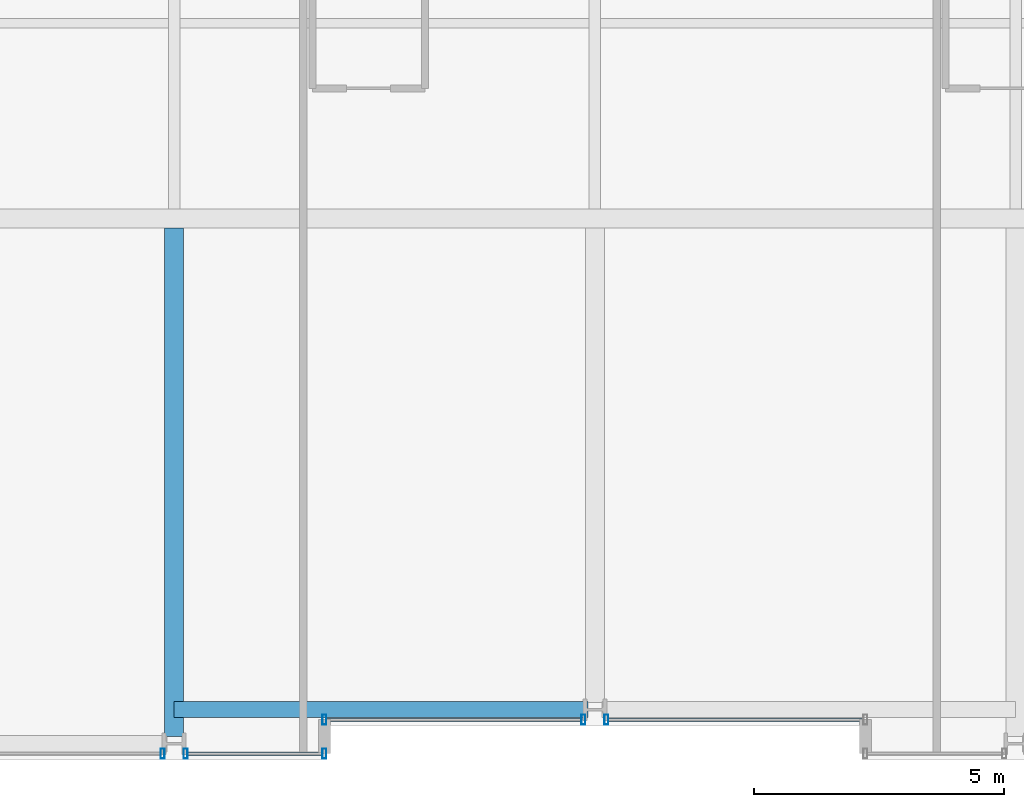
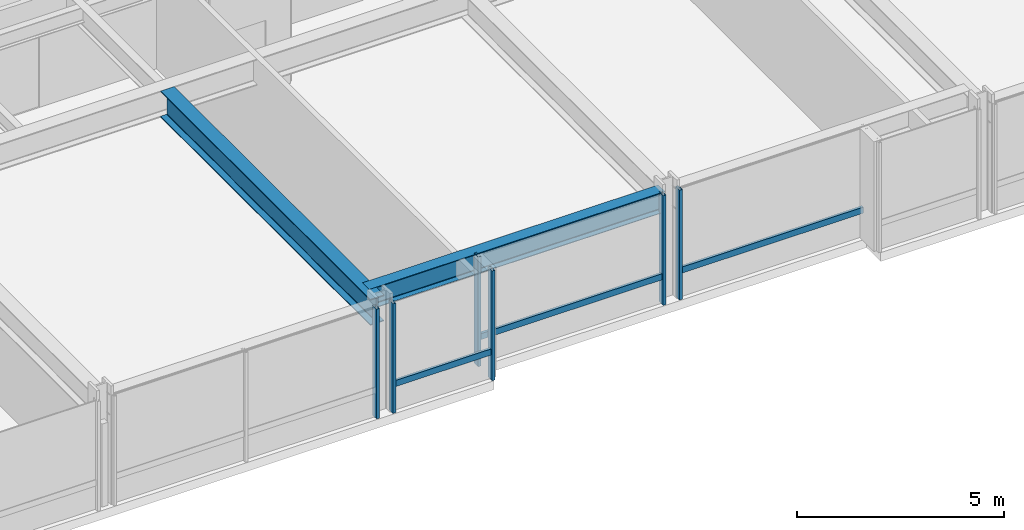
# One storey, part 5 of 38: 9 members, 2 beams, 4 elements without a shape of their own.
"""IFC4 building model written with IfcOpenShell, lengths in metres."""

from ifc_helpers import new_model, si_unit, direction, frame, origin, origin_2d, place, context, subcontext, project, spatial, hollow_rectangle, i_section, extrude, material, layer, layer_set, material_profile, profile_set, type_object, element, aggregate, save


model = new_model("IFC4")

# Units and contexts
model_context = context("Model", 3, precision=1e-05, world=origin(), true_north=direction((0.0, 1.0)))
body_context = subcontext(model_context, "Body", "Model", "MODEL_VIEW")
ifc_project = project(units=[si_unit("LENGTHUNIT", "METRE"), si_unit("AREAUNIT", "SQUARE_METRE"), si_unit("VOLUMEUNIT", "CUBIC_METRE"), si_unit("PLANEANGLEUNIT", "RADIAN"), si_unit("MASSUNIT", "GRAM", prefix="KILO")], contexts=[model_context])

# Site, building, storey
site_placement = place(None, origin())
site = spatial("IfcSite", under=ifc_project, at=site_placement, CompositionType="ELEMENT")
building_placement = place(site_placement, origin())
building = spatial("IfcBuilding", under=site, at=building_placement, Name="Drelvath Grand Hotel", CompositionType="ELEMENT")
storey_placement = place(building_placement, frame((0.0, 0.0, 68.199951171875)))
storey = spatial("IfcBuildingStorey", under=building, at=storey_placement, Name="L16", CompositionType="ELEMENT", Elevation=68.199951171875)

# Curtain wall, member
ifc_material_1 = material(Name="Warm Bronze Anodised Aluminium Frame", Category="aluminium")
ifc_layer = layer(ifc_material_1, 0.199951171875)
ifc_layer_set = layer_set([ifc_layer], Name="Warm Bronze Anodised Aluminium Frame")
curtain_wall_type = type_object("IfcCurtainWallType", Name="Stick Curtain Wall CW-02 Warm Bronze Low-Rise", PredefinedType="NOTDEFINED", material=ifc_layer_set)
curtain_wall_1_placement = place(storey_placement, origin())
curtain_wall_1 = element("IfcCurtainWall", 1, at=curtain_wall_1_placement, inside=storey, type_object=curtain_wall_type, Name="L16 CW-02 Curtain Wall CW02-L16-SM1", PredefinedType="NOTDEFINED")
ifc_material_profile_1 = material_profile(ifc_material_1, hollow_rectangle(XDim=0.074951171875, YDim=0.179931640625, WallThickness=0.0048828125, at=origin_2d()), Name="HSS180X75X5")
ifc_profile_set_1 = profile_set([ifc_material_profile_1], Name="Warm Bronze Anodised Aluminium Frame")
member_type_1 = type_object("IfcMemberType", Name="Curtain Wall Horizontal Transom CW-02 HSS180X75X5", PredefinedType="USERDEFINED", material=ifc_profile_set_1)
member_1_placement = place(storey_placement, frame((-0.26904296875, 0.800048828125, 0.81005859375), z_axis=(-1.0, 0.0, 0.0), x_axis=(0.0, -1.0, 0.0)))
member_1 = element("IfcMember", 2, at=member_1_placement, type_object=member_type_1, Name="CW02-L16-SM1 Sill Transom", ObjectType="TRANSOM", PredefinedType="USERDEFINED", context=body_context, shape_type="SweptSolid", body=[
    extrude(hollow_rectangle(XDim=0.074951171875, YDim=0.179931640625, WallThickness=0.0048828125, at=origin_2d()), origin(), (0.0, 0.0, 1.0), 5.091064453125),
])

curtain_wall_2_placement = place(storey_placement, origin())
curtain_wall_2 = element("IfcCurtainWall", 3, at=curtain_wall_2_placement, inside=storey, type_object=curtain_wall_type, Name="L16 CW-02 Curtain Wall CW02-L16-SM2", PredefinedType="NOTDEFINED")
member_2_placement = place(storey_placement, frame((5.360107421875, 0.800048828125, 0.81005859375), z_axis=(-1.0, 0.0, 0.0), x_axis=(0.0, -1.0, 0.0)))
member_2 = element("IfcMember", 4, at=member_2_placement, type_object=member_type_1, Name="CW02-L16-SM2 Sill Transom", ObjectType="TRANSOM", PredefinedType="USERDEFINED", context=body_context, shape_type="SweptSolid", body=[
    extrude(hollow_rectangle(XDim=0.074951171875, YDim=0.179931640625, WallThickness=0.0048828125, at=origin_2d()), origin(), (0.0, 0.0, 1.0), 5.091064453125),
])

curtain_wall_3_placement = place(storey_placement, origin())
curtain_wall_3 = element("IfcCurtainWall", 5, at=curtain_wall_3_placement, inside=storey, type_object=curtain_wall_type, Name="L16 CW-02 Curtain Wall CW02-L16-SW3", PredefinedType="NOTDEFINED")
member_3_placement = place(storey_placement, frame((-5.43994140625, 0.1201171875, 0.81005859375), z_axis=(-1.0, 0.0, 0.0), x_axis=(0.0, -1.0, 0.0)))
member_3 = element("IfcMember", 6, at=member_3_placement, type_object=member_type_1, Name="CW02-L16-SW3 Sill Transom", ObjectType="TRANSOM", PredefinedType="USERDEFINED", context=body_context, shape_type="SweptSolid", body=[
    extrude(hollow_rectangle(XDim=0.074951171875, YDim=0.179931640625, WallThickness=0.0048828125, at=origin_2d()), origin(), (0.0, 0.0, 1.0), 2.69091796875),
])

# Member
ifc_material_profile_2 = material_profile(ifc_material_1, hollow_rectangle(XDim=0.080078125, YDim=0.199951171875, WallThickness=0.0048828125, at=origin_2d()), Name="HSS200X80X5")
ifc_profile_set_2 = profile_set([ifc_material_profile_2], Name="Warm Bronze Anodised Aluminium Frame")
member_type_2 = type_object("IfcMemberType", Name="Curtain Wall Vertical Mullion CW-02 HSS200X80X5", PredefinedType="MULLION", material=ifc_profile_set_2)
member_4_placement = place(storey_placement, frame((-0.22900390625, 0.800048828125, 0.0), z_axis=(0.0, 0.0, 1.0), x_axis=(1.0, 0.0, 0.0)))
member_4 = element("IfcMember", 7, at=member_4_placement, type_object=member_type_2, Name="CW02-L16-SM1 Mullion 1", PredefinedType="MULLION", context=body_context, shape_type="SweptSolid", body=[
    extrude(hollow_rectangle(XDim=0.080078125, YDim=0.199951171875, WallThickness=0.0048828125, at=origin_2d()), origin(), (0.0, 0.0, 1.0), 3.239990234375),
])

member_5_placement = place(storey_placement, frame((-5.39990234375, 0.800048828125, 0.0), z_axis=(0.0, 0.0, 1.0), x_axis=(1.0, 0.0, 0.0)))
member_5 = element("IfcMember", 8, at=member_5_placement, type_object=member_type_2, Name="CW02-L16-SM1 Mullion 2", PredefinedType="MULLION", context=body_context, shape_type="SweptSolid", body=[
    extrude(hollow_rectangle(XDim=0.080078125, YDim=0.199951171875, WallThickness=0.0048828125, at=origin_2d()), origin(), (0.0, 0.0, 1.0), 3.239990234375),
])

aggregate(curtain_wall_1, [member_4, member_5, member_1])

member_6_placement = place(storey_placement, frame((0.22900390625, 0.800048828125, 0.0), z_axis=(0.0, 0.0, 1.0), x_axis=(1.0, 0.0, 0.0)))
member_6 = element("IfcMember", 9, at=member_6_placement, type_object=member_type_2, Name="CW02-L16-SM2 Mullion 2", PredefinedType="MULLION", context=body_context, shape_type="SweptSolid", body=[
    extrude(hollow_rectangle(XDim=0.080078125, YDim=0.199951171875, WallThickness=0.0048828125, at=origin_2d()), origin(), (0.0, 0.0, 1.0), 3.239990234375),
])

aggregate(curtain_wall_2, [member_6, member_2])

# Curtain wall, member
curtain_wall_4_placement = place(storey_placement, origin())
curtain_wall_4 = element("IfcCurtainWall", 10, at=curtain_wall_4_placement, inside=storey, type_object=curtain_wall_type, Name="L16 CW-02 Curtain Wall CW02-L16-SW2", PredefinedType="NOTDEFINED")
member_7_placement = place(storey_placement, frame((-8.629150390625, 0.1201171875, 0.0), z_axis=(0.0, 0.0, 1.0), x_axis=(1.0, 0.0, 0.0)))
member_7 = element("IfcMember", 11, at=member_7_placement, type_object=member_type_2, Name="CW02-L16-SW2 Mullion 1", PredefinedType="MULLION", context=body_context, shape_type="SweptSolid", body=[
    extrude(hollow_rectangle(XDim=0.080078125, YDim=0.199951171875, WallThickness=0.0048828125, at=origin_2d()), origin(), (0.0, 0.0, 1.0), 3.239990234375),
])
aggregate(curtain_wall_4, [member_7])

# Member
member_8_placement = place(storey_placement, frame((-5.39990234375, 0.1201171875, 0.0), z_axis=(0.0, 0.0, 1.0), x_axis=(1.0, 0.0, 0.0)))
member_8 = element("IfcMember", 12, at=member_8_placement, type_object=member_type_2, Name="CW02-L16-SW3 Mullion 1", PredefinedType="MULLION", context=body_context, shape_type="SweptSolid", body=[
    extrude(hollow_rectangle(XDim=0.080078125, YDim=0.199951171875, WallThickness=0.0048828125, at=origin_2d()), origin(), (0.0, 0.0, 1.0), 3.239990234375),
])

member_9_placement = place(storey_placement, frame((-8.1708984375, 0.1201171875, 0.0), z_axis=(0.0, 0.0, 1.0), x_axis=(1.0, 0.0, 0.0)))
member_9 = element("IfcMember", 13, at=member_9_placement, type_object=member_type_2, Name="CW02-L16-SW3 Mullion 2", PredefinedType="MULLION", context=body_context, shape_type="SweptSolid", body=[
    extrude(hollow_rectangle(XDim=0.080078125, YDim=0.199951171875, WallThickness=0.0048828125, at=origin_2d()), origin(), (0.0, 0.0, 1.0), 3.239990234375),
])

aggregate(curtain_wall_3, [member_8, member_9, member_3])

# Beams
ifc_material_2 = material(Name="Steel ASTM A992 Gr 50", Category="steel")
ifc_material_profile_3 = material_profile(ifc_material_2, i_section(OverallWidth=0.323974609375, OverallDepth=0.611083984375, WebThickness=0.0126953125, FlangeThickness=0.01904296875, FilletRadius=0.02197265625, at=origin_2d()), Name="W24X104")
ifc_profile_set_3 = profile_set([ifc_material_profile_3], Name="Steel ASTM A992 Gr 50")
beam_type_1 = type_object("IfcBeamType", Name="Perimeter Spandrel Beam W24X104", PredefinedType="SPANDREL", material=ifc_profile_set_3)
beam_1_placement = place(storey_placement, frame((-8.39990234375, 1.0, 2.9345703125), z_axis=(1.0, 0.0, 0.0), x_axis=(0.0, 1.0, 0.0)))
element("IfcBeam", 14, at=beam_1_placement, inside=storey, type_object=beam_type_1, Name="L16 Spandrel South Mid W", PredefinedType="SPANDREL", context=body_context, shape_type="SweptSolid", body=[
    extrude(i_section(OverallWidth=0.323974609375, OverallDepth=0.611083984375, WebThickness=0.0126953125, FlangeThickness=0.01904296875, FilletRadius=0.02197265625, at=origin_2d()), origin(), (0.0, 0.0, 1.0), 8.260009765625),
])
ifc_material_profile_4 = material_profile(ifc_material_2, i_section(OverallWidth=0.380615234375, OverallDepth=0.773193359375, WebThickness=0.0166015625, FlangeThickness=0.027099609375, FilletRadius=0.02490234375, at=origin_2d()), Name="W30X173")
ifc_profile_set_4 = profile_set([ifc_material_profile_4], Name="Steel ASTM A992 Gr 50")
beam_type_2 = type_object("IfcBeamType", Name="Primary Floor Girder W30X173", PredefinedType="BEAM", material=ifc_profile_set_4)
beam_2_placement = place(storey_placement, frame((-8.39990234375, 0.4599609375, 2.853515625), z_axis=(0.0, 1.0, 0.0), x_axis=(-1.0, 0.0, 0.0)))
element("IfcBeam", 15, at=beam_2_placement, inside=storey, type_object=beam_type_2, Name="L16 South Wing Girder 4", PredefinedType="BEAM", context=body_context, shape_type="SweptSolid", body=[
    extrude(i_section(OverallWidth=0.380615234375, OverallDepth=0.773193359375, WebThickness=0.0166015625, FlangeThickness=0.027099609375, FilletRadius=0.02490234375, at=origin_2d()), origin(), (0.0, 0.0, 1.0), 10.149658203125),
])

save(model, "model.ifc")
